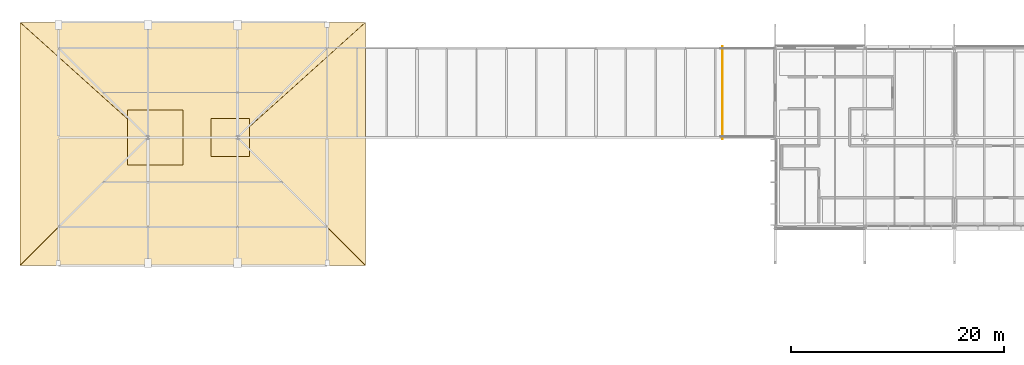
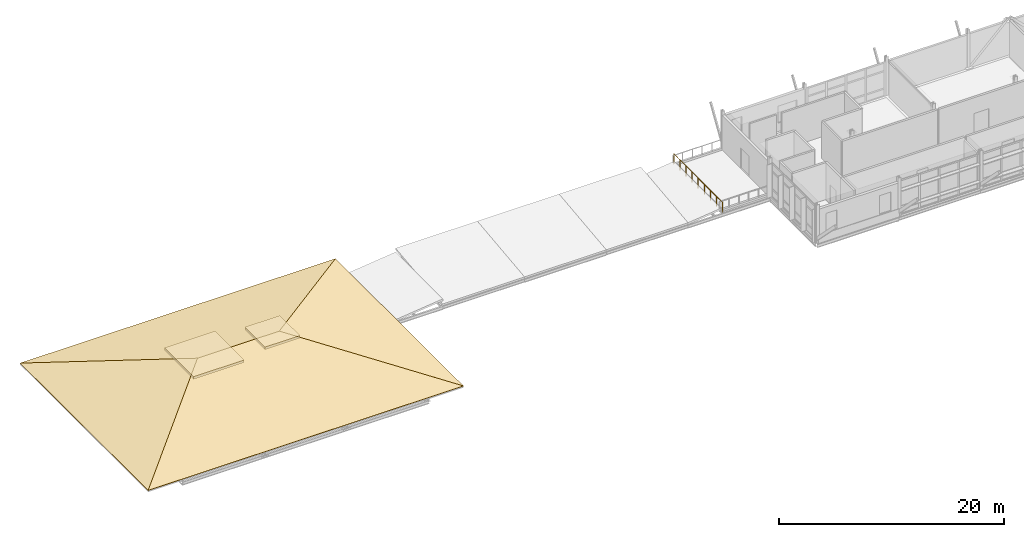
# One storey, part 33 of 35: 6 coverings, 1 railing.
"""IFC4 building model written with IfcOpenShell, lengths in metres."""

from ifc_helpers import new_model, si_unit, direction, frame, origin, origin_2d, place, context, subcontext, project, spatial, polyline, rectangle, circle, outline, extrude, material, layer, layer_set, type_object, element, save


model = new_model("IFC4")

# Units and contexts
model_context = context("Model", 3, precision=1e-05, world=origin(), true_north=direction((0.0, 1.0)))
body_context = subcontext(model_context, "Body", "Model", "MODEL_VIEW")
ifc_project = project(units=[si_unit("LENGTHUNIT", "METRE"), si_unit("AREAUNIT", "SQUARE_METRE"), si_unit("VOLUMEUNIT", "CUBIC_METRE"), si_unit("PLANEANGLEUNIT", "RADIAN"), si_unit("MASSUNIT", "GRAM", prefix="KILO")], contexts=[model_context])

# Site, building, storey
site_placement = place(None, origin())
site = spatial("IfcSite", under=ifc_project, at=site_placement, CompositionType="ELEMENT")
building_placement = place(site_placement, origin())
building = spatial("IfcBuilding", under=site, at=building_placement, Name="Mersafa Astral City Hall", CompositionType="ELEMENT")
storey_placement = place(building_placement, frame((0.0, 0.0, 30.14990234375)))
storey = spatial("IfcBuildingStorey", under=building, at=storey_placement, Name="L07", CompositionType="ELEMENT", Elevation=30.14990234375)

# Coverings
ifc_material_1 = material(Name="Egyptian ceramic terracotta roof tile", Category="masonry")
ifc_layer = layer(ifc_material_1, 0.054931640625, Name="Egyptian ceramic terracotta roof tile")
ifc_layer_set = layer_set([ifc_layer], Name="Egyptian ceramic terracotta roof tile — ENV-COV-TERRACOTTA-55")
covering_type_1 = type_object("IfcCoveringType", Name="ENV-COV-TERRACOTTA-55", PredefinedType="ROOFING", material=ifc_layer_set)
covering_1_placement = place(storey_placement, frame((38.39990234375, 105.60009765625, 0.052978515625), z_axis=(0.0, -0.233457500114, 0.97236700666), x_axis=(1.0, 0.0, 0.0)))
element("IfcCovering", 1, at=covering_1_placement, inside=storey, type_object=covering_type_1, Name="L07 Warm terracotta ceramic roof tile covering 35", PredefinedType="ROOFING", context=body_context, shape_type="SweptSolid", body=[
    extrude(outline(polyline([(0.0, 0.0), (32.400146484375, 0.0), (20.400146484375, 12.34101930424496), (12.0, 12.34101930424496), (0.0, 0.0)])), origin(), (0.0, 0.0, -1.0), 0.054931640625),
])
covering_2_placement = place(storey_placement, frame((70.800048828125, 128.39990234375, 0.052978515625), z_axis=(0.0, 0.257759171624, 0.966209195487), x_axis=(-1.0, 0.0, 0.0)))
element("IfcCovering", 2, at=covering_2_placement, inside=storey, type_object=covering_type_1, Name="L07 Warm terracotta ceramic roof tile covering 36", PredefinedType="ROOFING", context=body_context, shape_type="SweptSolid", body=[
    extrude(outline(polyline([(0.0, 0.0), (32.400146484375, 0.0), (20.400146484375, 11.177501454077012), (12.0, 11.177501454077012), (0.0, 0.0)])), origin(), (0.0, 0.0, -1.0), 0.054931640625),
])
covering_3_placement = place(storey_placement, frame((38.39990234375, 128.39990234375, 0.052978515625), z_axis=(-0.233457500114, 0.0, 0.97236700666), x_axis=(0.0, -1.0, 0.0)))
element("IfcCovering", 3, at=covering_3_placement, inside=storey, type_object=covering_type_1, Name="L07 Warm terracotta ceramic roof tile covering 37", PredefinedType="ROOFING", context=body_context, shape_type="SweptSolid", body=[
    extrude(outline(polyline([(0.0, 0.0), (22.7998046875, 0.0), (10.7998046875, 12.341019304244961), (0.0, 0.0)])), origin(), (0.0, 0.0, -1.0), 0.054931640625),
])
covering_4_placement = place(storey_placement, frame((70.800048828125, 105.60009765625, 0.052978515625), z_axis=(0.233457500114, 0.0, 0.97236700666), x_axis=(0.0, 1.0, 0.0)))
element("IfcCovering", 4, at=covering_4_placement, inside=storey, type_object=covering_type_1, Name="L07 Warm terracotta ceramic roof tile covering 38", PredefinedType="ROOFING", context=body_context, shape_type="SweptSolid", body=[
    extrude(outline(polyline([(0.0, 0.0), (22.7998046875, 0.0), (12.0, 12.341019304244961), (0.0, 0.0)])), origin(), (0.0, 0.0, -1.0), 0.054931640625),
])

# Railing
ifc_material_2 = material(Name="Anodised bronze steel balustrade with laminated safety infill", Category="steel")
railing_type = type_object("IfcRailingType", Name="ENV-RAIL-TERRACE-1120", PredefinedType="BALUSTRADE", material=ifc_material_2)
railing_placement = place(storey_placement, frame((104.27001953125, 126.139892578125, 0.0)))
element("IfcRailing", 5, at=railing_placement, inside=storey, type_object=railing_type, Name="L07 Terrace perimeter guard balustrade 19", PredefinedType="BALUSTRADE", context=body_context, shape_type="SweptSolid", body=[
    extrude(circle(Radius=0.02392578125, at=origin_2d()), frame((0.0, 0.0, 1.09619140625), z_axis=(0.0, -1.0, 0.0), x_axis=(1.0, 0.0, 0.0)), (0.0, 0.0, 1.0), 8.679931640625),
    extrude(circle(Radius=0.02099609375, at=origin_2d()), origin(), (0.0, 0.0, 1.0), 1.072021484375),
    extrude(circle(Radius=0.02099609375, at=origin_2d()), frame((0.0, -1.0849609375, 0.0)), (0.0, 0.0, 1.0), 1.072021484375),
    extrude(circle(Radius=0.02099609375, at=origin_2d()), frame((0.0, -2.169921875, 0.0)), (0.0, 0.0, 1.0), 1.072021484375),
    extrude(circle(Radius=0.02099609375, at=origin_2d()), frame((0.0, -3.2548828125, 0.0)), (0.0, 0.0, 1.0), 1.072021484375),
    extrude(circle(Radius=0.02099609375, at=origin_2d()), frame((0.0, -4.33984375, 0.0)), (0.0, 0.0, 1.0), 1.072021484375),
    extrude(circle(Radius=0.02099609375, at=origin_2d()), frame((0.0, -5.425048828125, 0.0)), (0.0, 0.0, 1.0), 1.072021484375),
    extrude(circle(Radius=0.02099609375, at=origin_2d()), frame((0.0, -6.510009765625, 0.0)), (0.0, 0.0, 1.0), 1.072021484375),
    extrude(circle(Radius=0.02099609375, at=origin_2d()), frame((0.0, -7.594970703125, 0.0)), (0.0, 0.0, 1.0), 1.072021484375),
    extrude(circle(Radius=0.02099609375, at=origin_2d()), frame((0.0, -8.679931640625, 0.0)), (0.0, 0.0, 1.0), 1.072021484375),
])

# Coverings
ifc_material_3 = material(Name="Laminated solar control double skylight glazing", Category="glass")
covering_type_2 = type_object("IfcCoveringType", Name="ENV-SKY-SK-01", PredefinedType="MEMBRANE", material=ifc_material_3)
covering_5_placement = place(storey_placement, frame((51.10009765625, 117.60009765625, 2.880859375), z_axis=(0.0, 0.0, 1.0), x_axis=(1.0, 0.0, 0.0)))
element("IfcCovering", 6, at=covering_5_placement, inside=storey, type_object=covering_type_2, Name="L07 Civic Roof Lantern Skylight 7", PredefinedType="MEMBRANE", context=body_context, shape_type="SweptSolid", body=[
    extrude(rectangle(XDim=5.199951171875, YDim=5.199951171875, at=origin_2d()), origin(), (0.0, 0.0, 1.0), 0.280029296875),
])
covering_type_3 = type_object("IfcCoveringType", Name="ENV-SKY-SK-02", PredefinedType="MEMBRANE", material=ifc_material_3)
covering_6_placement = place(storey_placement, frame((58.10009765625, 117.60009765625, 2.880859375), z_axis=(0.0, 0.0, 1.0), x_axis=(1.0, 0.0, 0.0)))
element("IfcCovering", 7, at=covering_6_placement, inside=storey, type_object=covering_type_3, Name="L07 Civic Roof Lantern Skylight 8", PredefinedType="MEMBRANE", context=body_context, shape_type="SweptSolid", body=[
    extrude(rectangle(XDim=3.60009765625, YDim=3.60009765625, at=origin_2d()), origin(), (0.0, 0.0, 1.0), 0.280029296875),
])

save(model, "model.ifc")
